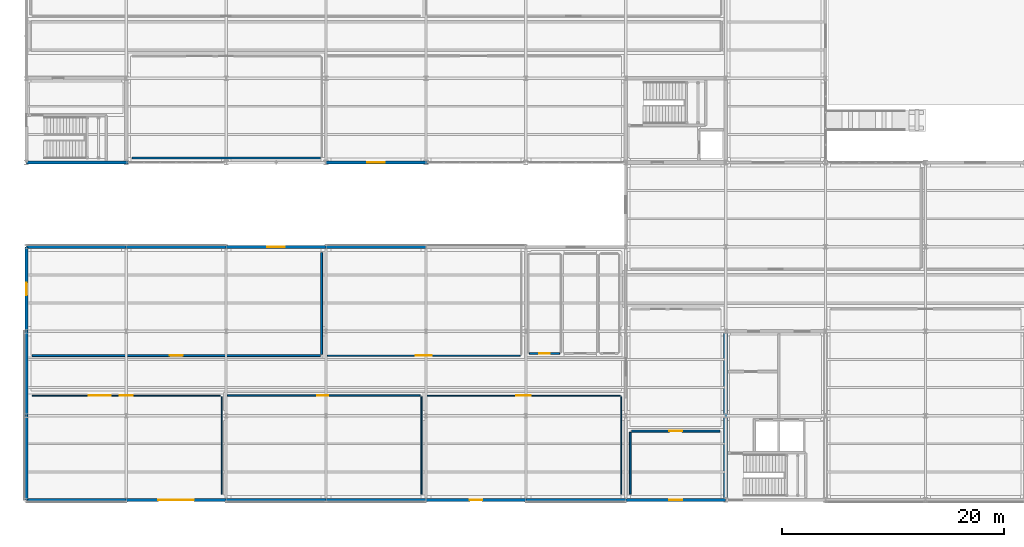
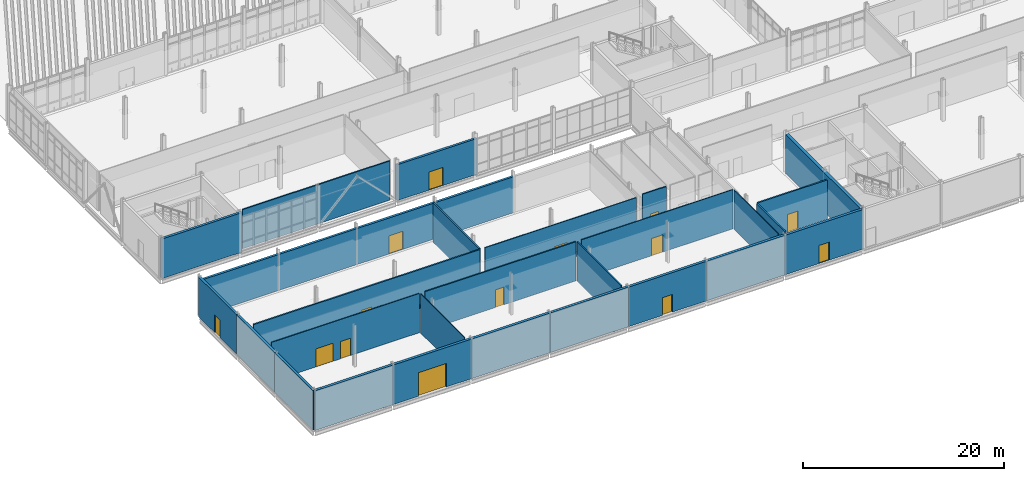
# One storey, part 138 of 161: 30 walls, 14 doors, 14 openings.
"""IFC4 building model written with IfcOpenShell, lengths in metres."""

import ifcopenshell
import ifcopenshell.guid

model = None  # the IFC model being written
_history = None  # IfcOwnerHistory: only IFC2X3 demands one
_inside = {}  # id of a spatial element -> (the spatial element, [elements in it])
_under = {}  # id of a project, library or spatial element -> (it, [spatial elements below it])
_declared = {}  # id of a project -> (the project, [libraries it declares])
_typed = {}  # id of a type object -> (the type object, [elements of that type])
_made_of = {}  # id of a material, layer set ... -> (it, [elements and type objects made of it])


def new_model(schema):
    """Start an empty IFC model of exactly this schema.

    Asked for "IFC4X3", IfcOpenShell would pick the latest addendum, in which some entities
    have other attributes; the version numbers below select the first issue.
    IFC2X3 requires an IfcOwnerHistory on every rooted entity: one is made here for all.
    """
    global model, _history
    if schema == "IFC4X3":
        model = ifcopenshell.file(schema_version=(4, 3, 0, 0))
    else:
        model = ifcopenshell.file(schema=schema)
    _inside.clear()
    _under.clear()
    _declared.clear()
    _typed.clear()
    _made_of.clear()
    _history = None
    if model.schema == "IFC2X3":
        org = make("IfcOrganization", Name="unknown")
        user = make(
            "IfcPersonAndOrganization",
            ThePerson=make("IfcPerson", FamilyName="unknown"),
            TheOrganization=org,
        )
        app = make(
            "IfcApplication",
            ApplicationDeveloper=org,
            Version="unknown",
            ApplicationFullName="unknown",
            ApplicationIdentifier="unknown",
        )
        _history = make(
            "IfcOwnerHistory",
            OwningUser=user,
            OwningApplication=app,
            ChangeAction="ADDED",
            CreationDate=0,
        )
    return model


def make(cls, **values):
    """One entity of the class cls with the attributes given. An attribute that is None is left unset."""
    return model.create_entity(
        cls, **{name: value for name, value in values.items() if value is not None}
    )


def rooted(cls, **values):
    """An entity with a GlobalId (a new one), such as an element, a storey or a relation."""
    return make(cls, GlobalId=ifcopenshell.guid.new(), OwnerHistory=_history, **values)


def si_unit(unit_type, name, prefix=None):
    """IfcSIUnit, for example si_unit("LENGTHUNIT", "METRE", prefix="MILLI")."""
    return make("IfcSIUnit", UnitType=unit_type, Prefix=prefix, Name=name)


def assignment(units):
    """IfcUnitAssignment: the units of a project."""
    return None if units is None else make("IfcUnitAssignment", Units=units)


def point(xyz):
    """IfcCartesianPoint."""
    return None if xyz is None else make("IfcCartesianPoint", Coordinates=xyz)


def direction(xyz):
    """IfcDirection."""
    return None if xyz is None else make("IfcDirection", DirectionRatios=xyz)


def frame(location, z_axis=None, x_axis=None):
    """IfcAxis2Placement3D, a coordinate frame: its origin and axes. An axis left out is left unset."""
    return make(
        "IfcAxis2Placement3D",
        Location=point(location),
        Axis=direction(z_axis),
        RefDirection=direction(x_axis),
    )


def frame_2d(location, x_axis=None):
    """IfcAxis2Placement2D, a coordinate frame in the plane: its origin and x axis."""
    return make(
        "IfcAxis2Placement2D", Location=point(location), RefDirection=direction(x_axis)
    )


def origin():
    """The frame at (0, 0, 0) with its axes left unset."""
    return frame((0.0, 0.0, 0.0))


def origin_with_axes():
    """The frame at (0, 0, 0) with the z axis (0, 0, 1) and the x axis (1, 0, 0) written out."""
    return frame((0.0, 0.0, 0.0), z_axis=(0.0, 0.0, 1.0), x_axis=(1.0, 0.0, 0.0))


def place(relative_to, where):
    """IfcLocalPlacement: puts the frame where relative to a parent placement (None: the world)."""
    return make(
        "IfcLocalPlacement", PlacementRelTo=relative_to, RelativePlacement=where
    )


def context(
    kind, dimensions, precision=None, world=None, true_north=None, identifier=None
):
    """IfcGeometricRepresentationContext, for example the 3D "Model" context."""
    return make(
        "IfcGeometricRepresentationContext",
        ContextIdentifier=identifier,
        ContextType=kind,
        CoordinateSpaceDimension=dimensions,
        Precision=precision,
        WorldCoordinateSystem=world,
        TrueNorth=true_north,
    )


def subcontext(parent, identifier, kind, view, scale=None):
    """IfcGeometricRepresentationSubContext, for example "Body" below "Model"."""
    return make(
        "IfcGeometricRepresentationSubContext",
        ContextIdentifier=identifier,
        ContextType=kind,
        ParentContext=parent,
        TargetScale=scale,
        TargetView=view,
    )


def project(units=None, contexts=None):
    """IfcProject with its units and contexts."""
    return rooted(
        "IfcProject",
        Name="project",
        RepresentationContexts=contexts,
        UnitsInContext=assignment(units),
    )


def spatial(cls, under=None, at=None, **own):
    """A site, building, storey or space (cls), placed at a placement, below another one or the project."""
    s = rooted(cls, ObjectPlacement=at, **own)
    if under is not None:
        _under.setdefault(under.id(), (under, []))[1].append(s)
    return s


def profile(cls, at=None, kind="AREA", **sizes):
    """A parametric profile (cls). Its sizes go by their IFC names, for example OverallWidth=200.0."""
    return make(cls, ProfileType=kind, Position=at, **sizes)


def rectangle(**sizes):
    """IfcRectangleProfileDef."""
    return profile("IfcRectangleProfileDef", **sizes)


def extrude(swept, where, along, depth):
    """IfcExtrudedAreaSolid: the profile swept, set in the frame where, extruded along a direction by depth."""
    return make(
        "IfcExtrudedAreaSolid",
        SweptArea=swept,
        Position=where,
        ExtrudedDirection=direction(along),
        Depth=depth,
    )


def shape(context_of_items, identifier, shape_type, items):
    """IfcShapeRepresentation: the items that make up one representation, for example the "Body"."""
    return make(
        "IfcShapeRepresentation",
        ContextOfItems=context_of_items,
        RepresentationIdentifier=identifier,
        RepresentationType=shape_type,
        Items=items,
    )


def material(Name=None, Category=None):
    """IfcMaterial."""
    return make("IfcMaterial", Name=Name, Category=Category)


def layer(
    of_material, thickness, ventilated=None, Name=None, Category=None, Priority=None
):
    """IfcMaterialLayer: one layer of a wall or slab, of a material (None: an air gap)."""
    return make(
        "IfcMaterialLayer",
        Material=of_material,
        LayerThickness=thickness,
        IsVentilated=ventilated,
        Name=Name,
        Category=Category,
        Priority=Priority,
    )


def layer_set(layers, Name=None):
    """IfcMaterialLayerSet."""
    return make("IfcMaterialLayerSet", MaterialLayers=layers, LayerSetName=Name)


def made_of(thing, what):
    """Note that an element or type object is made of a material, layer set ...; save() writes the relation."""
    if what is not None:
        _made_of.setdefault(what.id(), (what, []))[1].append(thing)
    return thing


def type_object(cls, material=None, **own):
    """A type object (cls), such as IfcWallType, which elements share."""
    return made_of(rooted(cls, **own), material)


def element(
    cls,
    number,
    at=None,
    inside=None,
    cuts=None,
    type_object=None,
    material=None,
    context=None,
    identifier="Body",
    shape_type=None,
    held_by="IfcProductDefinitionShape",
    body=None,
    shapes=None,
    **own,
):
    """One element of the class cls, such as IfcWall. Its Tag is "e" and its number.

    at: its placement. inside: the storey or other place that contains it. cuts: it is an
    opening in that element (IfcRelVoidsElement). A single representation is given by context,
    identifier, shape_type and body (its items); several are given by shapes. held_by: the class
    of the entity that holds the representations. save() writes the other relations.
    """
    e = rooted(cls, Tag="e%d" % number, ObjectPlacement=at, **own)
    if body is not None:
        shapes = [shape(context, identifier, shape_type, body)]
    if shapes is not None:
        e.Representation = make(held_by, Representations=shapes)
    if inside is not None:
        _inside.setdefault(inside.id(), (inside, []))[1].append(e)
    if cuts is not None:
        rooted(
            "IfcRelVoidsElement", RelatingBuildingElement=cuts, RelatedOpeningElement=e
        )
    if type_object is not None:
        _typed.setdefault(type_object.id(), (type_object, []))[1].append(e)
    return made_of(e, material)


def fill(opening, filler):
    """IfcRelFillsElement: the door or window that sits in an opening."""
    return rooted(
        "IfcRelFillsElement",
        RelatingOpeningElement=opening,
        RelatedBuildingElement=filler,
    )


def aggregate(whole, parts):
    """IfcRelAggregates: a whole, such as a stair, and the parts it consists of."""
    return rooted("IfcRelAggregates", RelatingObject=whole, RelatedObjects=parts)


def save(model, path):
    """Write the relations noted so far, then the file.

    IfcRelAggregates (storeys below a building ...), IfcRelContainedInSpatialStructure (elements
    in a storey), IfcRelDefinesByType, IfcRelAssociatesMaterial and IfcRelDeclares: one each for
    every whole, place, type object, material and project.
    """
    for whole, parts in _under.values():
        aggregate(whole, parts)
    for where, things in _inside.values():
        rooted(
            "IfcRelContainedInSpatialStructure",
            RelatedElements=things,
            RelatingStructure=where,
        )
    for kind, things in _typed.values():
        rooted("IfcRelDefinesByType", RelatedObjects=things, RelatingType=kind)
    for what, things in _made_of.values():
        rooted("IfcRelAssociatesMaterial", RelatedObjects=things, RelatingMaterial=what)
    for by, libraries in _declared.values():
        rooted("IfcRelDeclares", RelatingContext=by, RelatedDefinitions=libraries)
    model.write(path)


model = new_model("IFC4")

# Units and contexts
model_context = context("Model", 3, precision=1e-05, world=origin(), true_north=direction((0.0, 1.0)))
body_context = subcontext(model_context, "Body", "Model", "MODEL_VIEW")
ifc_project = project(units=[si_unit("LENGTHUNIT", "METRE"), si_unit("AREAUNIT", "SQUARE_METRE"), si_unit("VOLUMEUNIT", "CUBIC_METRE"), si_unit("PLANEANGLEUNIT", "RADIAN"), si_unit("MASSUNIT", "GRAM", prefix="KILO")], contexts=[model_context])

# Site, building, storey
site_placement = place(None, origin())
site = spatial("IfcSite", under=ifc_project, at=site_placement, CompositionType="ELEMENT")
building_placement = place(site_placement, origin())
building = spatial("IfcBuilding", under=site, at=building_placement, Name="Caisbarro Railhouse Central Library", CompositionType="ELEMENT")
storey_placement = place(building_placement, origin())
storey = spatial("IfcBuildingStorey", under=building, at=storey_placement, Name="L00", CompositionType="ELEMENT", Elevation=0.0)

# Wall
ifc_material_1 = material(Name="Concrete C40", Category="concrete")
ifc_layer_1 = layer(ifc_material_1, 0.35009765625, Name="Concrete C40")
ifc_layer_set_1 = layer_set([ifc_layer_1], Name="Concrete C40")
wall_type_1 = type_object("IfcWallType", Name="WAL-CW35", PredefinedType="SHEAR", material=ifc_layer_set_1)
wall_1_placement = place(storey_placement, frame((63.0, 0.159912109375, 0.0), z_axis=(0.0, 0.0, 1.0), x_axis=(0.0, 1.0, 0.0)))
element("IfcWall", 1, at=wall_1_placement, inside=storey, type_object=wall_type_1, Name="CW35 RC core shear wall L00 #5", PredefinedType="SHEAR", context=body_context, shape_type="SweptSolid", body=[
    extrude(rectangle(XDim=14.880126953125, YDim=0.35009765625, at=frame_2d((7.43994140625, 0.0))), origin(), (0.0, 0.0, 1.0), 4.760009765625),
])

# Wall, opening, door
ifc_material_2 = material(Name="Concrete C35 insulated architectural precast", Category="concrete")
ifc_layer_2 = layer(ifc_material_2, 0.260009765625, Name="Concrete C35 insulated architectural precast")
ifc_layer_set_2 = layer_set([ifc_layer_2], Name="Concrete C35 insulated architectural precast")
wall_type_2 = type_object("IfcWallType", Name="WAL-EW26", PredefinedType="STANDARD", material=ifc_layer_set_2)
wall_2_placement = place(storey_placement, frame((27.0, 30.39990234375, 0.0), z_axis=(0.0, 0.0, 1.0), x_axis=(1.0, 0.0, 0.0)))
wall_2 = element("IfcWall", 2, at=wall_2_placement, inside=storey, type_object=wall_type_2, Name="EW26 exterior wall L00 #30", PredefinedType="STANDARD", context=body_context, shape_type="SweptSolid", body=[
    extrude(rectangle(XDim=9.2099609375, YDim=0.260009765625, at=frame_2d((4.60498046875, 0.0))), origin(), (0.0, 0.0, 1.0), 4.35107421875),
])
opening_1_placement = place(wall_2_placement, frame((3.699951171875, 0.0, 0.0)))
opening_1 = element("IfcOpeningElement", 3, at=opening_1_placement, cuts=wall_2, Name="Opening ED03", PredefinedType="OPENING", context=body_context, shape_type="SweptSolid", body=[
    extrude(rectangle(XDim=1.60009765625, YDim=2.199951171875, at=frame_2d((0.800048828125, 1.10009765625))), frame((0.0, 0.14013671875, 0.0), z_axis=(0.0, -1.0, 0.0), x_axis=(1.0, 0.0, 0.0)), (0.0, 0.0, 1.0), 0.280029296875),
])
ifc_material_3 = material(Name="Thermally broken anodised aluminium and safety glass", Category="aluminium")
door_type_1 = type_object("IfcDoorType", Name="DR-ED03", OperationType="NOTDEFINED", PredefinedType="DOOR", material=ifc_material_3)
door_1_placement = place(opening_1_placement, frame((1.60009765625, 0.0, 0.0), z_axis=(0.0, 0.0, 1.0), x_axis=(-1.0, 0.0, 0.0)))
door_1 = element("IfcDoor", 4, at=door_1_placement, inside=storey, type_object=door_type_1, Name="Exit Door ED03 L00-07", OperationType="SINGLE_SWING_RIGHT", OverallHeight=2.199951171875, OverallWidth=1.60009765625, PredefinedType="DOOR", context=body_context, shape_type="SweptSolid", body=[
    extrude(rectangle(XDim=1.60009765625, YDim=2.199951171875, at=frame_2d((0.800048828125, 1.10009765625))), frame((0.0, 0.02490234375, 0.0), z_axis=(0.0, -1.0, 0.0), x_axis=(1.0, 0.0, 0.0)), (0.0, 0.0, 1.0), 0.050048828125),
])
fill(opening_1, door_1)

# Walls
for number, where, z_axis, x_axis, name in (
    (5, (0.0, 22.800048828125, 0.0), (0.0, 0.0, 1.0), (1.0, 0.0, 0.0), "EW26 exterior wall L00 #40"),
    (6, (9.0, 22.800048828125, 0.0), (0.0, 0.0, 1.0), (1.0, 0.0, 0.0), "EW26 exterior wall L00 #42"),
):
    element("IfcWall", number, at=place(storey_placement, frame(where, z_axis=z_axis, x_axis=x_axis)), inside=storey, type_object=wall_type_2, Name=name, PredefinedType="STANDARD", context=body_context, shape_type="SweptSolid", body=[
        extrude(rectangle(XDim=9.0, YDim=0.260009765625, at=frame_2d((4.5, 0.0))), origin(), (0.0, 0.0, 1.0), 4.37109375),
    ])

# Wall, opening, door
wall_3_placement = place(storey_placement, frame((18.0, 22.800048828125, 0.0), z_axis=(0.0, 0.0, 1.0), x_axis=(1.0, 0.0, 0.0)))
wall_3 = element("IfcWall", 7, at=wall_3_placement, inside=storey, type_object=wall_type_2, Name="EW26 exterior wall L00 #44", PredefinedType="STANDARD", context=body_context, shape_type="SweptSolid", body=[
    extrude(rectangle(XDim=9.0, YDim=0.260009765625, at=frame_2d((4.5, 0.0))), origin(), (0.0, 0.0, 1.0), 4.37109375),
])
opening_2_placement = place(wall_3_placement, frame((3.699951171875, 0.0, 0.0)))
opening_2 = element("IfcOpeningElement", 8, at=opening_2_placement, cuts=wall_3, Name="Opening ED03", PredefinedType="OPENING", context=body_context, shape_type="SweptSolid", body=[
    extrude(rectangle(XDim=1.60009765625, YDim=2.199951171875, at=frame_2d((0.800048828125, 1.10009765625))), frame((0.0, 0.14013671875, 0.0), z_axis=(0.0, -1.0, 0.0), x_axis=(1.0, 0.0, 0.0)), (0.0, 0.0, 1.0), 0.280029296875),
])
door_2_placement = place(opening_2_placement, origin())
door_2 = element("IfcDoor", 9, at=door_2_placement, inside=storey, type_object=door_type_1, Name="Exit Door ED03 L00-11", OperationType="SINGLE_SWING_LEFT", OverallHeight=2.199951171875, OverallWidth=1.60009765625, PredefinedType="DOOR", context=body_context, shape_type="SweptSolid", body=[
    extrude(rectangle(XDim=1.60009765625, YDim=2.199951171875, at=frame_2d((0.800048828125, 1.10009765625))), frame((0.0, 0.02490234375, 0.0), z_axis=(0.0, -1.0, 0.0), x_axis=(1.0, 0.0, 0.0)), (0.0, 0.0, 1.0), 0.050048828125),
])
fill(opening_2, door_2)

# Walls
wall_4_placement = place(storey_placement, frame((27.0, 22.800048828125, 0.0), z_axis=(0.0, 0.0, 1.0), x_axis=(1.0, 0.0, 0.0)))
element("IfcWall", 10, at=wall_4_placement, inside=storey, type_object=wall_type_2, Name="EW26 exterior wall L00 #46", PredefinedType="STANDARD", context=body_context, shape_type="SweptSolid", body=[
    extrude(rectangle(XDim=9.0, YDim=0.260009765625, at=frame_2d((4.5, 0.0))), origin(), (0.0, 0.0, 1.0), 4.37109375),
])
ifc_layer_3 = layer(ifc_material_1, 0.280029296875, Name="Concrete C40")
ifc_layer_set_3 = layer_set([ifc_layer_3], Name="Concrete C40")
wall_type_3 = type_object("IfcWallType", Name="WAL-EW28", PredefinedType="SOLIDWALL", material=ifc_layer_set_3)
wall_5_placement = place(storey_placement, frame((0.0, 30.39990234375, 0.0), z_axis=(0.0, 0.0, 1.0), x_axis=(1.0, 0.0, 0.0)))
element("IfcWall", 11, at=wall_5_placement, inside=storey, type_object=wall_type_3, Name="EW28 exterior wall L00 #29", PredefinedType="SOLIDWALL", context=body_context, shape_type="SweptSolid", body=[
    extrude(rectangle(XDim=9.2099609375, YDim=0.280029296875, at=frame_2d((4.60498046875, 0.0))), origin(), (0.0, 0.0, 1.0), 4.800048828125),
])
wall_6_placement = place(storey_placement, frame((0.0, 0.0, 0.0), z_axis=(0.0, 0.0, 1.0), x_axis=(0.0, 1.0, 0.0)))
element("IfcWall", 12, at=wall_6_placement, inside=storey, type_object=wall_type_3, Name="EW28 exterior wall L00 #51", PredefinedType="SOLIDWALL", context=body_context, shape_type="SweptSolid", body=[
    extrude(rectangle(XDim=7.60009765625, YDim=0.280029296875, at=frame_2d((3.800048828125, 0.0))), origin(), (0.0, 0.0, 1.0), 4.800048828125),
])
wall_7_placement = place(storey_placement, frame((0.0, 7.60009765625, 0.0), z_axis=(0.0, 0.0, 1.0), x_axis=(0.0, 1.0, 0.0)))
element("IfcWall", 13, at=wall_7_placement, inside=storey, type_object=wall_type_3, Name="EW28 exterior wall L00 #52", PredefinedType="SOLIDWALL", context=body_context, shape_type="SweptSolid", body=[
    extrude(rectangle(XDim=7.599853515625, YDim=0.280029296875, at=frame_2d((3.7998046875, 0.0))), origin(), (0.0, 0.0, 1.0), 4.800048828125),
])

# Wall, opening, door
wall_8_placement = place(storey_placement, frame((0.0, 15.199951171875, 0.0), z_axis=(0.0, 0.0, 1.0), x_axis=(0.0, 1.0, 0.0)))
wall_8 = element("IfcWall", 14, at=wall_8_placement, inside=storey, type_object=wall_type_3, Name="EW28 exterior wall L00 #53", PredefinedType="SOLIDWALL", context=body_context, shape_type="SweptSolid", body=[
    extrude(rectangle(XDim=7.60009765625, YDim=0.280029296875, at=frame_2d((3.800048828125, 0.0))), origin(), (0.0, 0.0, 1.0), 4.800048828125),
])
opening_3_placement = place(wall_8_placement, frame((3.25, 0.0, 0.0)))
opening_3 = element("IfcOpeningElement", 15, at=opening_3_placement, cuts=wall_8, Name="Opening ED04", PredefinedType="OPENING", context=body_context, shape_type="SweptSolid", body=[
    extrude(rectangle(XDim=1.10009765625, YDim=2.14990234375, at=frame_2d((0.550048828125, 1.074951171875))), frame((0.0, 0.14990234375, 0.0), z_axis=(0.0, -1.0, 0.0), x_axis=(1.0, 0.0, 0.0)), (0.0, 0.0, 1.0), 0.300048828125),
])
ifc_material_4 = material(Name="Galvanised painted hollow steel", Category="steel")
door_type_2 = type_object("IfcDoorType", Name="DR-ED04", OperationType="NOTDEFINED", PredefinedType="DOOR", material=ifc_material_4)
door_3_placement = place(opening_3_placement, origin())
door_3 = element("IfcDoor", 16, at=door_3_placement, inside=storey, type_object=door_type_2, Name="Exit Door ED04 L00-14", OperationType="SINGLE_SWING_LEFT", OverallHeight=2.14990234375, OverallWidth=1.10009765625, PredefinedType="DOOR", context=body_context, shape_type="SweptSolid", body=[
    extrude(rectangle(XDim=1.10009765625, YDim=2.14990234375, at=frame_2d((0.550048828125, 1.074951171875))), frame((0.0, 0.02490234375, 0.0), z_axis=(0.0, -1.0, 0.0), x_axis=(1.0, 0.0, 0.0)), (0.0, 0.0, 1.0), 0.050048828125),
])
fill(opening_3, door_3)

# Wall
ifc_layer_4 = layer(ifc_material_1, 0.300048828125, Name="Concrete C40")
ifc_layer_set_4 = layer_set([ifc_layer_4], Name="Concrete C40")
wall_type_4 = type_object("IfcWallType", Name="WAL-EW30", PredefinedType="SOLIDWALL", material=ifc_layer_set_4)
wall_9_placement = place(storey_placement, origin_with_axes())
element("IfcWall", 17, at=wall_9_placement, inside=storey, type_object=wall_type_4, Name="EW30 exterior wall L00 #39", PredefinedType="SOLIDWALL", context=body_context, shape_type="SweptSolid", body=[
    extrude(rectangle(XDim=9.0, YDim=0.300048828125, at=frame_2d((4.5, 0.0))), origin(), (0.0, 0.0, 1.0), 4.800048828125),
])

# Wall, opening, door
wall_10_placement = place(storey_placement, frame((9.0, 0.0, 0.0), z_axis=(0.0, 0.0, 1.0), x_axis=(1.0, 0.0, 0.0)))
wall_10 = element("IfcWall", 18, at=wall_10_placement, inside=storey, type_object=wall_type_4, Name="EW30 exterior wall L00 #41", PredefinedType="SOLIDWALL", context=body_context, shape_type="SweptSolid", body=[
    extrude(rectangle(XDim=9.0, YDim=0.300048828125, at=frame_2d((4.5, 0.0))), origin(), (0.0, 0.0, 1.0), 4.800048828125),
])
opening_4_placement = place(wall_10_placement, frame((2.89990234375, 0.0, 0.0)))
opening_4 = element("IfcOpeningElement", 19, at=opening_4_placement, cuts=wall_10, Name="Opening GD01", PredefinedType="OPENING", context=body_context, shape_type="SweptSolid", body=[
    extrude(rectangle(XDim=3.199951171875, YDim=2.85009765625, at=frame_2d((1.60009765625, 1.425048828125))), frame((0.0, 0.16015625, 0.0), z_axis=(0.0, -1.0, 0.0), x_axis=(1.0, 0.0, 0.0)), (0.0, 0.0, 1.0), 0.320068359375),
])
door_type_3 = type_object("IfcDoorType", Name="DR-GD01", OperationType="NOTDEFINED", PredefinedType="GATE", material=ifc_material_4)
door_4_placement = place(opening_4_placement, frame((3.199951171875, 0.0, 0.0), z_axis=(0.0, 0.0, 1.0), x_axis=(-1.0, 0.0, 0.0)))
door_4 = element("IfcDoor", 20, at=door_4_placement, inside=storey, type_object=door_type_3, Name="Exit Door GD01 L00-10", OperationType="SINGLE_SWING_LEFT", OverallHeight=2.85009765625, OverallWidth=3.199951171875, PredefinedType="GATE", context=body_context, shape_type="SweptSolid", body=[
    extrude(rectangle(XDim=3.199951171875, YDim=2.85009765625, at=frame_2d((1.60009765625, 1.425048828125))), frame((0.0, 0.02490234375, 0.0), z_axis=(0.0, -1.0, 0.0), x_axis=(1.0, 0.0, 0.0)), (0.0, 0.0, 1.0), 0.050048828125),
])
fill(opening_4, door_4)

# Walls
for number, where, z_axis, x_axis, name in (
    (21, (18.0, 0.0, 0.0), (0.0, 0.0, 1.0), (1.0, 0.0, 0.0), "EW30 exterior wall L00 #43"),
    (22, (27.0, 0.0, 0.0), (0.0, 0.0, 1.0), (1.0, 0.0, 0.0), "EW30 exterior wall L00 #45"),
):
    element("IfcWall", number, at=place(storey_placement, frame(where, z_axis=z_axis, x_axis=x_axis)), inside=storey, type_object=wall_type_4, Name=name, PredefinedType="SOLIDWALL", context=body_context, shape_type="SweptSolid", body=[
        extrude(rectangle(XDim=9.0, YDim=0.300048828125, at=frame_2d((4.5, 0.0))), origin(), (0.0, 0.0, 1.0), 4.800048828125),
    ])

# Wall, opening, door
wall_11_placement = place(storey_placement, frame((36.0, 0.0, 0.0), z_axis=(0.0, 0.0, 1.0), x_axis=(1.0, 0.0, 0.0)))
wall_11 = element("IfcWall", 23, at=wall_11_placement, inside=storey, type_object=wall_type_4, Name="EW30 exterior wall L00 #47", PredefinedType="SOLIDWALL", context=body_context, shape_type="SweptSolid", body=[
    extrude(rectangle(XDim=9.0, YDim=0.300048828125, at=frame_2d((4.5, 0.0))), origin(), (0.0, 0.0, 1.0), 4.800048828125),
])
opening_5_placement = place(wall_11_placement, frame((3.949951171875, 0.0, 0.0)))
opening_5 = element("IfcOpeningElement", 24, at=opening_5_placement, cuts=wall_11, Name="Opening ED04", PredefinedType="OPENING", context=body_context, shape_type="SweptSolid", body=[
    extrude(rectangle(XDim=1.10009765625, YDim=2.14990234375, at=frame_2d((0.550048828125, 1.074951171875))), frame((0.0, 0.16015625, 0.0), z_axis=(0.0, -1.0, 0.0), x_axis=(1.0, 0.0, 0.0)), (0.0, 0.0, 1.0), 0.320068359375),
])
door_5_placement = place(opening_5_placement, frame((1.10009765625, 0.0, 0.0), z_axis=(0.0, 0.0, 1.0), x_axis=(-1.0, 0.0, 0.0)))
door_5 = element("IfcDoor", 25, at=door_5_placement, inside=storey, type_object=door_type_2, Name="Exit Door ED04 L00-12", OperationType="SINGLE_SWING_RIGHT", OverallHeight=2.14990234375, OverallWidth=1.10009765625, PredefinedType="DOOR", context=body_context, shape_type="SweptSolid", body=[
    extrude(rectangle(XDim=1.10009765625, YDim=2.14990234375, at=frame_2d((0.550048828125, 1.074951171875))), frame((0.0, 0.02490234375, 0.0), z_axis=(0.0, -1.0, 0.0), x_axis=(1.0, 0.0, 0.0)), (0.0, 0.0, 1.0), 0.050048828125),
])
fill(opening_5, door_5)

# Wall
wall_12_placement = place(storey_placement, frame((45.0, 0.0, 0.0), z_axis=(0.0, 0.0, 1.0), x_axis=(1.0, 0.0, 0.0)))
element("IfcWall", 26, at=wall_12_placement, inside=storey, type_object=wall_type_4, Name="EW30 exterior wall L00 #49", PredefinedType="SOLIDWALL", context=body_context, shape_type="SweptSolid", body=[
    extrude(rectangle(XDim=9.0, YDim=0.300048828125, at=frame_2d((4.5, 0.0))), origin(), (0.0, 0.0, 1.0), 4.800048828125),
])

# Wall, opening, door
wall_13_placement = place(storey_placement, frame((54.0, 0.0, 0.0), z_axis=(0.0, 0.0, 1.0), x_axis=(1.0, 0.0, 0.0)))
wall_13 = element("IfcWall", 27, at=wall_13_placement, inside=storey, type_object=wall_type_4, Name="EW30 exterior wall L00 #69", PredefinedType="SOLIDWALL", context=body_context, shape_type="SweptSolid", body=[
    extrude(rectangle(XDim=9.0, YDim=0.300048828125, at=frame_2d((4.5, 0.0))), origin(), (0.0, 0.0, 1.0), 4.800048828125),
])
opening_6_placement = place(wall_13_placement, frame((3.925048828125, 0.0, 0.0)))
opening_6 = element("IfcOpeningElement", 28, at=opening_6_placement, cuts=wall_13, Name="Opening ED05", PredefinedType="OPENING", context=body_context, shape_type="SweptSolid", body=[
    extrude(rectangle(XDim=1.14990234375, YDim=2.199951171875, at=frame_2d((0.574951171875, 1.10009765625))), frame((0.0, 0.16015625, 0.0), z_axis=(0.0, -1.0, 0.0), x_axis=(1.0, 0.0, 0.0)), (0.0, 0.0, 1.0), 0.320068359375),
])
door_type_4 = type_object("IfcDoorType", Name="DR-ED05", OperationType="NOTDEFINED", PredefinedType="DOOR", material=ifc_material_4)
door_6_placement = place(opening_6_placement, frame((1.14990234375, 0.0, 0.0), z_axis=(0.0, 0.0, 1.0), x_axis=(-1.0, 0.0, 0.0)))
door_6 = element("IfcDoor", 29, at=door_6_placement, inside=storey, type_object=door_type_4, Name="Exit Door ED05 L00-15", OperationType="SINGLE_SWING_LEFT", OverallHeight=2.199951171875, OverallWidth=1.14990234375, PredefinedType="DOOR", context=body_context, shape_type="SweptSolid", body=[
    extrude(rectangle(XDim=1.14990234375, YDim=2.199951171875, at=frame_2d((0.574951171875, 1.10009765625))), frame((0.0, 0.02490234375, 0.0), z_axis=(0.0, -1.0, 0.0), x_axis=(1.0, 0.0, 0.0)), (0.0, 0.0, 1.0), 0.050048828125),
])
fill(opening_6, door_6)

# Walls
ifc_material_5 = material(Name="Acoustic gypsum board on galvanised steel studs", Category="steel")
ifc_layer_5 = layer(ifc_material_5, 0.090087890625, Name="Acoustic gypsum board on galvanised steel studs")
ifc_layer_set_5 = layer_set([ifc_layer_5], Name="Acoustic gypsum board on galvanised steel studs")
wall_type_5 = type_object("IfcWallType", Name="WAL-IW09", PredefinedType="PARTITIONING", material=ifc_layer_set_5)
for number, where, z_axis, x_axis, name in (
    (30, (17.60009765625, 0.52001953125, 0.0), (0.0, 0.0, 1.0), (0.0, 1.0, 0.0), "IW09 partition wall L00 #265"),
    (31, (53.60009765625, 0.52001953125, 0.0), (0.0, 0.0, 1.0), (0.0, 1.0, 0.0), "IW09 partition wall L00 #269"),
):
    element("IfcWall", number, at=place(storey_placement, frame(where, z_axis=z_axis, x_axis=x_axis)), inside=storey, type_object=wall_type_5, Name=name, PredefinedType="PARTITIONING", context=body_context, shape_type="SweptSolid", body=[
        extrude(rectangle(XDim=8.760009765625, YDim=0.090087890625, at=frame_2d((4.3798828125, 0.0))), origin(), (0.0, 0.0, 1.0), 4.760009765625),
    ])

# Wall, openings, doors
ifc_layer_6 = layer(ifc_material_5, 0.110107421875, Name="Acoustic gypsum board on galvanised steel studs")
ifc_layer_set_6 = layer_set([ifc_layer_6], Name="Acoustic gypsum board on galvanised steel studs")
wall_type_6 = type_object("IfcWallType", Name="WAL-IW11", PredefinedType="PARTITIONING", material=ifc_layer_set_6)
wall_14_placement = place(storey_placement, frame((0.52001953125, 9.39990234375, 0.0), z_axis=(0.0, 0.0, 1.0), x_axis=(1.0, 0.0, 0.0)))
wall_14 = element("IfcWall", 32, at=wall_14_placement, inside=storey, type_object=wall_type_6, Name="IW11 partition wall L00 #264", PredefinedType="PARTITIONING", context=body_context, shape_type="SweptSolid", body=[
    extrude(rectangle(XDim=16.9599609375, YDim=0.110107421875, at=frame_2d((8.47998046875, 0.0))), origin(), (0.0, 0.0, 1.0), 4.760009765625),
])
opening_7_placement = place(wall_14_placement, frame((7.909912109375, 0.0, 0.0)))
opening_7 = element("IfcOpeningElement", 33, at=opening_7_placement, cuts=wall_14, Name="Opening ID14", PredefinedType="OPENING", context=body_context, shape_type="SweptSolid", body=[
    extrude(rectangle(XDim=1.139892578125, YDim=2.10009765625, at=frame_2d((0.56982421875, 1.050048828125))), frame((0.0, 0.06494140625, 0.0), z_axis=(0.0, -1.0, 0.0), x_axis=(1.0, 0.0, 0.0)), (0.0, 0.0, 1.0), 0.130126953125),
])
opening_8_placement = place(wall_14_placement, frame((5.090087890625, 0.0, 0.0)))
opening_8 = element("IfcOpeningElement", 34, at=opening_8_placement, cuts=wall_14, Name="Opening ID53", PredefinedType="OPENING", context=body_context, shape_type="SweptSolid", body=[
    extrude(rectangle(XDim=1.97998046875, YDim=2.199951171875, at=frame_2d((0.989990234375, 1.10009765625))), frame((0.0, 0.06494140625, 0.0), z_axis=(0.0, -1.0, 0.0), x_axis=(1.0, 0.0, 0.0)), (0.0, 0.0, 1.0), 0.130126953125),
])
ifc_material_6 = material(Name="Solid-core tropical hardwood veneer", Category="wood")
door_type_5 = type_object("IfcDoorType", Name="DR-ID14", OperationType="NOTDEFINED", PredefinedType="DOOR", material=ifc_material_6)
door_7_placement = place(opening_7_placement, origin())
door_7 = element("IfcDoor", 35, at=door_7_placement, inside=storey, type_object=door_type_5, Name="Book Delivery Loading Dock Door ID14 L00-178", OperationType="SINGLE_SWING_RIGHT", OverallHeight=2.10009765625, OverallWidth=1.139892578125, PredefinedType="DOOR", context=body_context, shape_type="SweptSolid", body=[
    extrude(rectangle(XDim=1.139892578125, YDim=2.10009765625, at=frame_2d((0.56982421875, 1.050048828125))), frame((0.0, 0.02490234375, 0.0), z_axis=(0.0, -1.0, 0.0), x_axis=(1.0, 0.0, 0.0)), (0.0, 0.0, 1.0), 0.050048828125),
])
fill(opening_7, door_7)
door_type_6 = type_object("IfcDoorType", Name="DR-ID53", OperationType="NOTDEFINED", PredefinedType="DOOR", material=ifc_material_6)
door_8_placement = place(opening_8_placement, origin())
door_8 = element("IfcDoor", 36, at=door_8_placement, inside=storey, type_object=door_type_6, Name="Staff Ground Corridor West Door ID53 L00-215", OperationType="SINGLE_SWING_LEFT", OverallHeight=2.199951171875, OverallWidth=1.97998046875, PredefinedType="DOOR", context=body_context, shape_type="SweptSolid", body=[
    extrude(rectangle(XDim=1.97998046875, YDim=2.199951171875, at=frame_2d((0.989990234375, 1.10009765625))), frame((0.0, 0.02490234375, 0.0), z_axis=(0.0, -1.0, 0.0), x_axis=(1.0, 0.0, 0.0)), (0.0, 0.0, 1.0), 0.050048828125),
])
fill(opening_8, door_8)

# Wall, opening, door
wall_15_placement = place(storey_placement, frame((36.1201171875, 9.39990234375, 0.0), z_axis=(0.0, 0.0, 1.0), x_axis=(1.0, 0.0, 0.0)))
wall_15 = element("IfcWall", 37, at=wall_15_placement, inside=storey, type_object=wall_type_6, Name="IW11 partition wall L00 #268", PredefinedType="PARTITIONING", context=body_context, shape_type="SweptSolid", body=[
    extrude(rectangle(XDim=17.35986328125, YDim=0.110107421875, at=frame_2d((8.679931640625, 0.0))), origin(), (0.0, 0.0, 1.0), 4.760009765625),
])
opening_9_placement = place(wall_15_placement, frame((8.030029296875, 0.0, 0.0)))
opening_9 = element("IfcOpeningElement", 38, at=opening_9_placement, cuts=wall_15, Name="Opening ID16", PredefinedType="OPENING", context=body_context, shape_type="SweptSolid", body=[
    extrude(rectangle(XDim=1.300048828125, YDim=2.10009765625, at=frame_2d((0.64990234375, 1.050048828125))), frame((0.0, 0.06494140625, 0.0), z_axis=(0.0, -1.0, 0.0), x_axis=(1.0, 0.0, 0.0)), (0.0, 0.0, 1.0), 0.130126953125),
])
door_type_7 = type_object("IfcDoorType", Name="DR-ID16", OperationType="NOTDEFINED", PredefinedType="DOOR", material=ifc_material_6)
door_9_placement = place(opening_9_placement, origin())
door_9 = element("IfcDoor", 39, at=door_9_placement, inside=storey, type_object=door_type_7, Name="Acquisitions and Cataloguing Office Door ID16 L00-180", OperationType="SINGLE_SWING_RIGHT", OverallHeight=2.10009765625, OverallWidth=1.300048828125, PredefinedType="DOOR", context=body_context, shape_type="SweptSolid", body=[
    extrude(rectangle(XDim=1.300048828125, YDim=2.10009765625, at=frame_2d((0.64990234375, 1.050048828125))), frame((0.0, 0.02490234375, 0.0), z_axis=(0.0, -1.0, 0.0), x_axis=(1.0, 0.0, 0.0)), (0.0, 0.0, 1.0), 0.050048828125),
])
fill(opening_9, door_9)

wall_16_placement = place(storey_placement, frame((27.1201171875, 13.0, 0.0), z_axis=(0.0, 0.0, 1.0), x_axis=(1.0, 0.0, 0.0)))
wall_16 = element("IfcWall", 40, at=wall_16_placement, inside=storey, type_object=wall_type_6, Name="IW11 partition wall L00 #272", PredefinedType="PARTITIONING", context=body_context, shape_type="SweptSolid", body=[
    extrude(rectangle(XDim=17.35986328125, YDim=0.110107421875, at=frame_2d((8.679931640625, 0.0))), origin(), (0.0, 0.0, 1.0), 4.760009765625),
])
opening_10_placement = place(wall_16_placement, frame((7.949951171875, 0.0, 0.0)))
opening_10 = element("IfcOpeningElement", 41, at=opening_10_placement, cuts=wall_16, Name="Opening ID18", PredefinedType="OPENING", context=body_context, shape_type="SweptSolid", body=[
    extrude(rectangle(XDim=1.4599609375, YDim=2.10009765625, at=frame_2d((0.72998046875, 1.050048828125))), frame((0.0, 0.06494140625, 0.0), z_axis=(0.0, -1.0, 0.0), x_axis=(1.0, 0.0, 0.0)), (0.0, 0.0, 1.0), 0.130126953125),
])
door_type_8 = type_object("IfcDoorType", Name="DR-ID18", OperationType="NOTDEFINED", PredefinedType="DOOR", material=ifc_material_6)
door_10_placement = place(opening_10_placement, origin())
door_10 = element("IfcDoor", 42, at=door_10_placement, inside=storey, type_object=door_type_8, Name="Staff Cataloguing Workroom Door ID18 L00-182", OperationType="SINGLE_SWING_RIGHT", OverallHeight=2.10009765625, OverallWidth=1.4599609375, PredefinedType="DOOR", context=body_context, shape_type="SweptSolid", body=[
    extrude(rectangle(XDim=1.4599609375, YDim=2.10009765625, at=frame_2d((0.72998046875, 1.050048828125))), frame((0.0, 0.02490234375, 0.0), z_axis=(0.0, -1.0, 0.0), x_axis=(1.0, 0.0, 0.0)), (0.0, 0.0, 1.0), 0.050048828125),
])
fill(opening_10, door_10)

# Wall
ifc_layer_7 = layer(ifc_material_5, 0.1298828125, Name="Acoustic gypsum board on galvanised steel studs")
ifc_layer_set_7 = layer_set([ifc_layer_7], Name="Acoustic gypsum board on galvanised steel studs")
wall_type_7 = type_object("IfcWallType", Name="WAL-IW13", PredefinedType="PARTITIONING", material=ifc_layer_set_7)
wall_17_placement = place(storey_placement, frame((35.60009765625, 0.52001953125, 0.0), z_axis=(0.0, 0.0, 1.0), x_axis=(0.0, 1.0, 0.0)))
element("IfcWall", 43, at=wall_17_placement, inside=storey, type_object=wall_type_7, Name="IW13 partition wall L00 #267", PredefinedType="PARTITIONING", context=body_context, shape_type="SweptSolid", body=[
    extrude(rectangle(XDim=8.760009765625, YDim=0.1298828125, at=frame_2d((4.3798828125, 0.0))), origin(), (0.0, 0.0, 1.0), 4.760009765625),
])

# Wall, opening, door
ifc_layer_8 = layer(ifc_material_5, 0.14990234375, Name="Acoustic gypsum board on galvanised steel studs")
ifc_layer_set_8 = layer_set([ifc_layer_8], Name="Acoustic gypsum board on galvanised steel studs")
wall_type_8 = type_object("IfcWallType", Name="WAL-IW15", PredefinedType="PARTITIONING", material=ifc_layer_set_8)
wall_18_placement = place(storey_placement, frame((18.1201171875, 9.39990234375, 0.0), z_axis=(0.0, 0.0, 1.0), x_axis=(1.0, 0.0, 0.0)))
wall_18 = element("IfcWall", 44, at=wall_18_placement, inside=storey, type_object=wall_type_8, Name="IW15 partition wall L00 #266", PredefinedType="PARTITIONING", context=body_context, shape_type="SweptSolid", body=[
    extrude(rectangle(XDim=17.35986328125, YDim=0.14990234375, at=frame_2d((8.679931640625, 0.0))), origin(), (0.0, 0.0, 1.0), 4.760009765625),
])
opening_11_placement = place(wall_18_placement, frame((8.070068359375, 0.0, 0.0)))
opening_11 = element("IfcOpeningElement", 45, at=opening_11_placement, cuts=wall_18, Name="Opening FD05", PredefinedType="OPENING", context=body_context, shape_type="SweptSolid", body=[
    extrude(rectangle(XDim=1.0, YDim=2.14990234375, at=frame_2d((0.5, 1.074951171875))), frame((0.0, 0.0849609375, 0.0), z_axis=(0.0, -1.0, 0.0), x_axis=(1.0, 0.0, 0.0)), (0.0, 0.0, 1.0), 0.169921875),
])
ifc_material_7 = material(Name="Fire-rated painted galvanised steel", Category="steel")
door_type_9 = type_object("IfcDoorType", Name="DR-FD05", OperationType="NOTDEFINED", PredefinedType="DOOR", material=ifc_material_7)
door_11_placement = place(opening_11_placement, origin())
door_11 = element("IfcDoor", 46, at=door_11_placement, inside=storey, type_object=door_type_9, Name="Book Sorting and Returned-Items Hall Door FD05 L00-179", OperationType="SINGLE_SWING_LEFT", OverallHeight=2.14990234375, OverallWidth=1.0, PredefinedType="DOOR", context=body_context, shape_type="SweptSolid", body=[
    extrude(rectangle(XDim=1.0, YDim=2.14990234375, at=frame_2d((0.5, 1.074951171875))), frame((0.0, 0.02490234375, 0.0), z_axis=(0.0, -1.0, 0.0), x_axis=(1.0, 0.0, 0.0)), (0.0, 0.0, 1.0), 0.050048828125),
])
fill(opening_11, door_11)

wall_19_placement = place(storey_placement, frame((45.320068359375, 13.199951171875, 0.0), z_axis=(0.0, 0.0, 1.0), x_axis=(1.0, 0.0, 0.0)))
wall_19 = element("IfcWall", 47, at=wall_19_placement, inside=storey, type_object=wall_type_8, Name="IW15 partition wall L00 #274", PredefinedType="PARTITIONING", context=body_context, shape_type="SweptSolid", body=[
    extrude(rectangle(XDim=2.72802734375, YDim=0.14990234375, at=frame_2d((1.364013671875, 0.0))), origin(), (0.0, 0.0, 1.0), 4.760009765625),
])
opening_12_placement = place(wall_19_placement, frame((0.89404296875, 0.0, 0.0)))
opening_12 = element("IfcOpeningElement", 48, at=opening_12_placement, cuts=wall_19, Name="Opening ID03", PredefinedType="OPENING", context=body_context, shape_type="SweptSolid", body=[
    extrude(rectangle(XDim=0.93994140625, YDim=2.06005859375, at=frame_2d((0.469970703125, 1.030029296875))), frame((0.0, 0.0849609375, 0.0), z_axis=(0.0, -1.0, 0.0), x_axis=(1.0, 0.0, 0.0)), (0.0, 0.0, 1.0), 0.169921875),
])
door_type_10 = type_object("IfcDoorType", Name="DR-ID03", OperationType="NOTDEFINED", PredefinedType="DOOR", material=ifc_material_6)
door_12_placement = place(opening_12_placement, origin())
door_12 = element("IfcDoor", 49, at=door_12_placement, inside=storey, type_object=door_type_10, Name="Male WC L00-W Door ID03 L00-183", OperationType="SINGLE_SWING_LEFT", OverallHeight=2.06005859375, OverallWidth=0.93994140625, PredefinedType="DOOR", context=body_context, shape_type="SweptSolid", body=[
    extrude(rectangle(XDim=0.93994140625, YDim=2.06005859375, at=frame_2d((0.469970703125, 1.030029296875))), frame((0.0, 0.02490234375, 0.0), z_axis=(0.0, -1.0, 0.0), x_axis=(1.0, 0.0, 0.0)), (0.0, 0.0, 1.0), 0.050048828125),
])
fill(opening_12, door_12)

# Wall
wall_20_placement = place(storey_placement, frame((9.52001953125, 30.800048828125, 0.0), z_axis=(0.0, 0.0, 1.0), x_axis=(1.0, 0.0, 0.0)))
element("IfcWall", 50, at=wall_20_placement, inside=storey, type_object=wall_type_8, Name="IW15 partition wall L00 #294", PredefinedType="PARTITIONING", context=body_context, shape_type="SweptSolid", body=[
    extrude(rectangle(XDim=16.9599609375, YDim=0.14990234375, at=frame_2d((8.47998046875, 0.0))), origin(), (0.0, 0.0, 1.0), 4.760009765625),
])

# Wall, opening, door
ifc_material_8 = material(Name="Plastered cellular concrete masonry", Category="masonry")
ifc_layer_9 = layer(ifc_material_8, 0.169921875, Name="Plastered cellular concrete masonry")
ifc_layer_set_9 = layer_set([ifc_layer_9], Name="Plastered cellular concrete masonry")
wall_type_9 = type_object("IfcWallType", Name="WAL-IW17", PredefinedType="PARTITIONING", material=ifc_layer_set_9)
wall_21_placement = place(storey_placement, frame((0.52001953125, 13.0, 0.0), z_axis=(0.0, 0.0, 1.0), x_axis=(1.0, 0.0, 0.0)))
wall_21 = element("IfcWall", 51, at=wall_21_placement, inside=storey, type_object=wall_type_9, Name="IW17 partition wall L00 #270", PredefinedType="PARTITIONING", context=body_context, shape_type="SweptSolid", body=[
    extrude(rectangle(XDim=25.9599609375, YDim=0.169921875, at=frame_2d((12.97998046875, 0.0))), origin(), (0.0, 0.0, 1.0), 4.760009765625),
])
opening_13_placement = place(wall_21_placement, frame((12.405029296875, 0.0, 0.0)))
opening_13 = element("IfcOpeningElement", 52, at=opening_13_placement, cuts=wall_21, Name="Opening FD03", PredefinedType="OPENING", context=body_context, shape_type="SweptSolid", body=[
    extrude(rectangle(XDim=1.14990234375, YDim=2.14990234375, at=frame_2d((0.574951171875, 1.074951171875))), frame((0.0, 0.094970703125, 0.0), z_axis=(0.0, -1.0, 0.0), x_axis=(1.0, 0.0, 0.0)), (0.0, 0.0, 1.0), 0.18994140625),
])
door_type_11 = type_object("IfcDoorType", Name="DR-FD03", OperationType="NOTDEFINED", PredefinedType="DOOR", material=ifc_material_7)
door_13_placement = place(opening_13_placement, origin())
door_13 = element("IfcDoor", 53, at=door_13_placement, inside=storey, type_object=door_type_11, Name="Closed Archival Stacks West Door FD03 L00-181", OperationType="SINGLE_SWING_LEFT", OverallHeight=2.14990234375, OverallWidth=1.14990234375, PredefinedType="DOOR", context=body_context, shape_type="SweptSolid", body=[
    extrude(rectangle(XDim=1.14990234375, YDim=2.14990234375, at=frame_2d((0.574951171875, 1.074951171875))), frame((0.0, 0.02490234375, 0.0), z_axis=(0.0, -1.0, 0.0), x_axis=(1.0, 0.0, 0.0)), (0.0, 0.0, 1.0), 0.050048828125),
])
fill(opening_13, door_13)

# Wall
wall_22_placement = place(storey_placement, frame((26.60009765625, 13.1201171875, 0.0), z_axis=(0.0, 0.0, 1.0), x_axis=(0.0, 1.0, 0.0)))
element("IfcWall", 54, at=wall_22_placement, inside=storey, type_object=wall_type_9, Name="IW17 partition wall L00 #271", PredefinedType="PARTITIONING", context=body_context, shape_type="SweptSolid", body=[
    extrude(rectangle(XDim=9.159912109375, YDim=0.169921875, at=frame_2d((4.580078125, 0.0))), origin(), (0.0, 0.0, 1.0), 4.760009765625),
])

# Wall, opening, door
wall_23_placement = place(storey_placement, frame((54.52001953125, 6.199951171875, 0.0), z_axis=(0.0, 0.0, 1.0), x_axis=(1.0, 0.0, 0.0)))
wall_23 = element("IfcWall", 55, at=wall_23_placement, inside=storey, type_object=wall_type_9, Name="IW17 partition wall L00 #284", PredefinedType="PARTITIONING", context=body_context, shape_type="SweptSolid", body=[
    extrude(rectangle(XDim=7.9599609375, YDim=0.169921875, at=frame_2d((3.97998046875, 0.0))), origin(), (0.0, 0.0, 1.0), 4.760009765625),
])
opening_14_placement = place(wall_23_placement, frame((3.405029296875, 0.0, 0.0)))
opening_14 = element("IfcOpeningElement", 56, at=opening_14_placement, cuts=wall_23, Name="Opening FD03", PredefinedType="OPENING", context=body_context, shape_type="SweptSolid", body=[
    extrude(rectangle(XDim=1.14990234375, YDim=2.14990234375, at=frame_2d((0.574951171875, 1.074951171875))), frame((0.0, 0.094970703125, 0.0), z_axis=(0.0, -1.0, 0.0), x_axis=(1.0, 0.0, 0.0)), (0.0, 0.0, 1.0), 0.18994140625),
])
door_14_placement = place(opening_14_placement, origin())
door_14 = element("IfcDoor", 57, at=door_14_placement, inside=storey, type_object=door_type_11, Name="Fire Command Centre Door FD03 L00-186", OperationType="SINGLE_SWING_RIGHT", OverallHeight=2.14990234375, OverallWidth=1.14990234375, PredefinedType="DOOR", context=body_context, shape_type="SweptSolid", body=[
    extrude(rectangle(XDim=1.14990234375, YDim=2.14990234375, at=frame_2d((0.574951171875, 1.074951171875))), frame((0.0, 0.02490234375, 0.0), z_axis=(0.0, -1.0, 0.0), x_axis=(1.0, 0.0, 0.0)), (0.0, 0.0, 1.0), 0.050048828125),
])
fill(opening_14, door_14)

# Wall
wall_24_placement = place(storey_placement, frame((54.39990234375, 0.52001953125, 0.0), z_axis=(0.0, 0.0, 1.0), x_axis=(0.0, 1.0, 0.0)))
element("IfcWall", 58, at=wall_24_placement, inside=storey, type_object=wall_type_9, Name="IW17 partition wall L00 #285", PredefinedType="PARTITIONING", context=body_context, shape_type="SweptSolid", body=[
    extrude(rectangle(XDim=5.56005859375, YDim=0.169921875, at=frame_2d((2.780029296875, 0.0))), origin(), (0.0, 0.0, 1.0), 4.760009765625),
])

save(model, "model.ifc")
